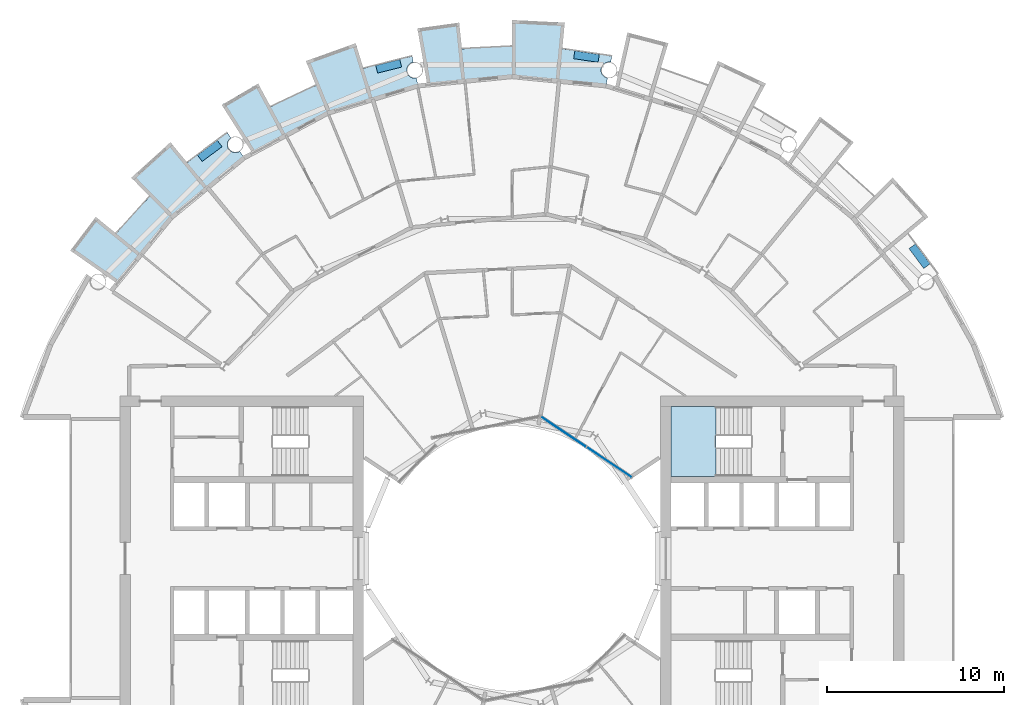
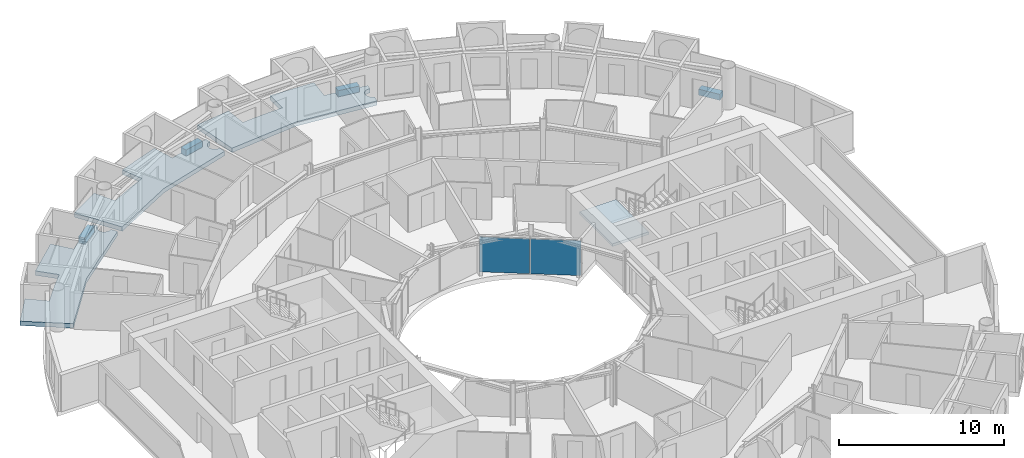
# One storey, part 12 of 27: 8 slabs, 2 plates, 2 elements without a shape of their own.
"""IFC4 building model written with IfcOpenShell, lengths in metres."""

import ifcopenshell
import ifcopenshell.guid

model = None  # the IFC model being written
_history = None  # IfcOwnerHistory: only IFC2X3 demands one
_inside = {}  # id of a spatial element -> (the spatial element, [elements in it])
_under = {}  # id of a project, library or spatial element -> (it, [spatial elements below it])
_declared = {}  # id of a project -> (the project, [libraries it declares])
_typed = {}  # id of a type object -> (the type object, [elements of that type])
_made_of = {}  # id of a material, layer set ... -> (it, [elements and type objects made of it])


def new_model(schema):
    """Start an empty IFC model of exactly this schema.

    Asked for "IFC4X3", IfcOpenShell would pick the latest addendum, in which some entities
    have other attributes; the version numbers below select the first issue.
    IFC2X3 requires an IfcOwnerHistory on every rooted entity: one is made here for all.
    """
    global model, _history
    if schema == "IFC4X3":
        model = ifcopenshell.file(schema_version=(4, 3, 0, 0))
    else:
        model = ifcopenshell.file(schema=schema)
    _inside.clear()
    _under.clear()
    _declared.clear()
    _typed.clear()
    _made_of.clear()
    _history = None
    if model.schema == "IFC2X3":
        org = make("IfcOrganization", Name="unknown")
        user = make(
            "IfcPersonAndOrganization",
            ThePerson=make("IfcPerson", FamilyName="unknown"),
            TheOrganization=org,
        )
        app = make(
            "IfcApplication",
            ApplicationDeveloper=org,
            Version="unknown",
            ApplicationFullName="unknown",
            ApplicationIdentifier="unknown",
        )
        _history = make(
            "IfcOwnerHistory",
            OwningUser=user,
            OwningApplication=app,
            ChangeAction="ADDED",
            CreationDate=0,
        )
    return model


def make(cls, **values):
    """One entity of the class cls with the attributes given. An attribute that is None is left unset."""
    return model.create_entity(
        cls, **{name: value for name, value in values.items() if value is not None}
    )


def rooted(cls, **values):
    """An entity with a GlobalId (a new one), such as an element, a storey or a relation."""
    return make(cls, GlobalId=ifcopenshell.guid.new(), OwnerHistory=_history, **values)


def si_unit(unit_type, name, prefix=None):
    """IfcSIUnit, for example si_unit("LENGTHUNIT", "METRE", prefix="MILLI")."""
    return make("IfcSIUnit", UnitType=unit_type, Prefix=prefix, Name=name)


def assignment(units):
    """IfcUnitAssignment: the units of a project."""
    return None if units is None else make("IfcUnitAssignment", Units=units)


def point(xyz):
    """IfcCartesianPoint."""
    return None if xyz is None else make("IfcCartesianPoint", Coordinates=xyz)


def direction(xyz):
    """IfcDirection."""
    return None if xyz is None else make("IfcDirection", DirectionRatios=xyz)


def frame(location, z_axis=None, x_axis=None):
    """IfcAxis2Placement3D, a coordinate frame: its origin and axes. An axis left out is left unset."""
    return make(
        "IfcAxis2Placement3D",
        Location=point(location),
        Axis=direction(z_axis),
        RefDirection=direction(x_axis),
    )


def frame_2d(location, x_axis=None):
    """IfcAxis2Placement2D, a coordinate frame in the plane: its origin and x axis."""
    return make(
        "IfcAxis2Placement2D", Location=point(location), RefDirection=direction(x_axis)
    )


def origin():
    """The frame at (0, 0, 0) with its axes left unset."""
    return frame((0.0, 0.0, 0.0))


def origin_2d():
    """The frame at (0, 0) in the plane with its x axis left unset."""
    return frame_2d((0.0, 0.0))


def place(relative_to, where):
    """IfcLocalPlacement: puts the frame where relative to a parent placement (None: the world)."""
    return make(
        "IfcLocalPlacement", PlacementRelTo=relative_to, RelativePlacement=where
    )


def context(
    kind, dimensions, precision=None, world=None, true_north=None, identifier=None
):
    """IfcGeometricRepresentationContext, for example the 3D "Model" context."""
    return make(
        "IfcGeometricRepresentationContext",
        ContextIdentifier=identifier,
        ContextType=kind,
        CoordinateSpaceDimension=dimensions,
        Precision=precision,
        WorldCoordinateSystem=world,
        TrueNorth=true_north,
    )


def subcontext(parent, identifier, kind, view, scale=None):
    """IfcGeometricRepresentationSubContext, for example "Body" below "Model"."""
    return make(
        "IfcGeometricRepresentationSubContext",
        ContextIdentifier=identifier,
        ContextType=kind,
        ParentContext=parent,
        TargetScale=scale,
        TargetView=view,
    )


def project(units=None, contexts=None):
    """IfcProject with its units and contexts."""
    return rooted(
        "IfcProject",
        Name="project",
        RepresentationContexts=contexts,
        UnitsInContext=assignment(units),
    )


def spatial(cls, under=None, at=None, **own):
    """A site, building, storey or space (cls), placed at a placement, below another one or the project."""
    s = rooted(cls, ObjectPlacement=at, **own)
    if under is not None:
        _under.setdefault(under.id(), (under, []))[1].append(s)
    return s


def polyline(points):
    """IfcPolyline through the points."""
    return make("IfcPolyline", Points=[point(p) for p in points])


def profile(cls, at=None, kind="AREA", **sizes):
    """A parametric profile (cls). Its sizes go by their IFC names, for example OverallWidth=200.0."""
    return make(cls, ProfileType=kind, Position=at, **sizes)


def rectangle(**sizes):
    """IfcRectangleProfileDef."""
    return profile("IfcRectangleProfileDef", **sizes)


def outline(outer, holes=None, kind="AREA"):
    """IfcArbitraryClosedProfileDef: a profile drawn as a closed curve; with holes, ...WithVoids."""
    if holes is None:
        return make("IfcArbitraryClosedProfileDef", ProfileType=kind, OuterCurve=outer)
    return make(
        "IfcArbitraryProfileDefWithVoids",
        ProfileType=kind,
        OuterCurve=outer,
        InnerCurves=holes,
    )


def extrude(swept, where, along, depth):
    """IfcExtrudedAreaSolid: the profile swept, set in the frame where, extruded along a direction by depth."""
    return make(
        "IfcExtrudedAreaSolid",
        SweptArea=swept,
        Position=where,
        ExtrudedDirection=direction(along),
        Depth=depth,
    )


def shape(context_of_items, identifier, shape_type, items):
    """IfcShapeRepresentation: the items that make up one representation, for example the "Body"."""
    return make(
        "IfcShapeRepresentation",
        ContextOfItems=context_of_items,
        RepresentationIdentifier=identifier,
        RepresentationType=shape_type,
        Items=items,
    )


def material(Name=None, Category=None):
    """IfcMaterial."""
    return make("IfcMaterial", Name=Name, Category=Category)


def layer(
    of_material, thickness, ventilated=None, Name=None, Category=None, Priority=None
):
    """IfcMaterialLayer: one layer of a wall or slab, of a material (None: an air gap)."""
    return make(
        "IfcMaterialLayer",
        Material=of_material,
        LayerThickness=thickness,
        IsVentilated=ventilated,
        Name=Name,
        Category=Category,
        Priority=Priority,
    )


def layer_set(layers, Name=None):
    """IfcMaterialLayerSet."""
    return make("IfcMaterialLayerSet", MaterialLayers=layers, LayerSetName=Name)


def made_of(thing, what):
    """Note that an element or type object is made of a material, layer set ...; save() writes the relation."""
    if what is not None:
        _made_of.setdefault(what.id(), (what, []))[1].append(thing)
    return thing


def type_object(cls, material=None, **own):
    """A type object (cls), such as IfcWallType, which elements share."""
    return made_of(rooted(cls, **own), material)


def element(
    cls,
    number,
    at=None,
    inside=None,
    cuts=None,
    type_object=None,
    material=None,
    context=None,
    identifier="Body",
    shape_type=None,
    held_by="IfcProductDefinitionShape",
    body=None,
    shapes=None,
    **own,
):
    """One element of the class cls, such as IfcWall. Its Tag is "e" and its number.

    at: its placement. inside: the storey or other place that contains it. cuts: it is an
    opening in that element (IfcRelVoidsElement). A single representation is given by context,
    identifier, shape_type and body (its items); several are given by shapes. held_by: the class
    of the entity that holds the representations. save() writes the other relations.
    """
    e = rooted(cls, Tag="e%d" % number, ObjectPlacement=at, **own)
    if body is not None:
        shapes = [shape(context, identifier, shape_type, body)]
    if shapes is not None:
        e.Representation = make(held_by, Representations=shapes)
    if inside is not None:
        _inside.setdefault(inside.id(), (inside, []))[1].append(e)
    if cuts is not None:
        rooted(
            "IfcRelVoidsElement", RelatingBuildingElement=cuts, RelatedOpeningElement=e
        )
    if type_object is not None:
        _typed.setdefault(type_object.id(), (type_object, []))[1].append(e)
    return made_of(e, material)


def aggregate(whole, parts):
    """IfcRelAggregates: a whole, such as a stair, and the parts it consists of."""
    return rooted("IfcRelAggregates", RelatingObject=whole, RelatedObjects=parts)


def save(model, path):
    """Write the relations noted so far, then the file.

    IfcRelAggregates (storeys below a building ...), IfcRelContainedInSpatialStructure (elements
    in a storey), IfcRelDefinesByType, IfcRelAssociatesMaterial and IfcRelDeclares: one each for
    every whole, place, type object, material and project.
    """
    for whole, parts in _under.values():
        aggregate(whole, parts)
    for where, things in _inside.values():
        rooted(
            "IfcRelContainedInSpatialStructure",
            RelatedElements=things,
            RelatingStructure=where,
        )
    for kind, things in _typed.values():
        rooted("IfcRelDefinesByType", RelatedObjects=things, RelatingType=kind)
    for what, things in _made_of.values():
        rooted("IfcRelAssociatesMaterial", RelatedObjects=things, RelatingMaterial=what)
    for by, libraries in _declared.values():
        rooted("IfcRelDeclares", RelatingContext=by, RelatedDefinitions=libraries)
    model.write(path)


model = new_model("IFC4")

# Units and contexts
model_context = context("Model", 3, precision=1e-05, world=origin(), true_north=direction((0.0, 1.0)))
body_context = subcontext(model_context, "Body", "Model", "MODEL_VIEW")
ifc_project = project(units=[si_unit("LENGTHUNIT", "METRE"), si_unit("AREAUNIT", "SQUARE_METRE"), si_unit("VOLUMEUNIT", "CUBIC_METRE"), si_unit("PLANEANGLEUNIT", "RADIAN"), si_unit("MASSUNIT", "GRAM", prefix="KILO")], contexts=[model_context])

# Site, building, storey
site_placement = place(None, origin())
site = spatial("IfcSite", under=ifc_project, at=site_placement, CompositionType="ELEMENT")
building_placement = place(site_placement, origin())
building = spatial("IfcBuilding", under=site, at=building_placement, Name="Maasbend Ring Residences", CompositionType="ELEMENT")
storey_placement = place(building_placement, frame((0.0, 0.0, 126.89990234375)))
storey = spatial("IfcBuildingStorey", under=building, at=storey_placement, Name="L36", CompositionType="ELEMENT", Elevation=126.89990234375)

# Stair, slab
ifc_material_1 = material(Name="Concrete C40/50", Category="concrete")
stair_type = type_object("IfcStairType", Name="CORE STAIR 18 RISERS", PredefinedType="HALF_TURN_STAIR", material=ifc_material_1)
stair_placement = place(storey_placement, origin())
stair = element("IfcStair", 1, at=stair_placement, inside=storey, type_object=stair_type, Name="L36 Exit stair ST-E1", PredefinedType="HALF_TURN_STAIR")
ifc_material_2 = material(Name="Concrete C40/50", Category="concrete")
ifc_layer_1 = layer(ifc_material_2, 0.199951171875)
ifc_layer_set_1 = layer_set([ifc_layer_1], Name="Concrete C40/50")
slab_type_1 = type_object("IfcSlabType", Name="CORE STAIR LANDING 200", PredefinedType="LANDING", material=ifc_layer_set_1)
slab_1_placement = place(storey_placement, frame((0.0, 0.0, 1.3251953125)))
slab_1 = element("IfcSlab", 2, at=slab_1_placement, type_object=slab_type_1, Name="ST-E1 landing 1", PredefinedType="LANDING", context=body_context, shape_type="SweptSolid", body=[
    extrude(outline(polyline([(11.550048828125, 8.60009765625), (9.0, 8.60009765625), (9.0, 4.64990234375), (11.550048828125, 4.64990234375), (11.550048828125, 8.60009765625)])), origin(), (0.0, 0.0, 1.0), 0.199951171875),
])
aggregate(stair, [slab_1])

# Curtain wall, plates
ifc_material_3 = material(Name="Aluminium and clear glass", Category="aluminium")
ifc_layer_2 = layer(ifc_material_3, 0.179931640625)
ifc_layer_set_2 = layer_set([ifc_layer_2], Name="CW-W")
curtain_wall_type = type_object("IfcCurtainWallType", Name="CW-W", PredefinedType="NOTDEFINED", material=ifc_layer_set_2)
curtain_wall_placement = place(storey_placement, origin())
curtain_wall = element("IfcCurtainWall", 3, at=curtain_wall_placement, inside=storey, type_object=curtain_wall_type, Name="Well curtain wall N1", PredefinedType="NOTDEFINED")
ifc_material_4 = material(Name="Glass clear laminated", Category="glass")
ifc_layer_3 = layer(ifc_material_4, 0.031982421875)
ifc_layer_set_3 = layer_set([ifc_layer_3], Name="CWP-W")
plate_type = type_object("IfcPlateType", Name="CWP-W", PredefinedType="CURTAIN_PANEL", material=ifc_layer_set_3)
plate_1_placement = place(storey_placement, frame((5.51123046875, 5.44580078125, 0.0), z_axis=(0.0, 0.0, 1.0), x_axis=(-0.831469612303, 0.55557023302, 0.0)))
plate_1 = element("IfcPlate", 4, at=plate_1_placement, type_object=plate_type, Name="Glass panel well face", PredefinedType="CURTAIN_PANEL", context=body_context, shape_type="SweptSolid", body=[
    extrude(rectangle(XDim=3.053955078125, YDim=0.031982421875, at=origin_2d()), origin(), (0.0, 0.0, 1.0), 2.580078125),
])
plate_2_placement = place(storey_placement, frame((2.922119140625, 7.17578125, 0.0), z_axis=(0.0, 0.0, 1.0), x_axis=(-0.831469612303, 0.55557023302, 0.0)))
plate_2 = element("IfcPlate", 5, at=plate_2_placement, type_object=plate_type, Name="Glass panel well face", PredefinedType="CURTAIN_PANEL", context=body_context, shape_type="SweptSolid", body=[
    extrude(rectangle(XDim=3.053955078125, YDim=0.031982421875, at=origin_2d()), origin(), (0.0, 0.0, 1.0), 2.580078125),
])
aggregate(curtain_wall, [plate_1, plate_2])

# Slabs
ifc_material_5 = material(Name="Planting with climbing greenery")
ifc_layer_4 = layer(ifc_material_5, 0.449951171875)
ifc_layer_set_4 = layer_set([ifc_layer_4], Name="PLANTER-LG")
slab_type_2 = type_object("IfcSlabType", Name="PLANTER-LG", PredefinedType="USERDEFINED", material=ifc_layer_set_4)
slab_2_placement = place(storey_placement, frame((0.0, 0.0, -0.02978515625)))
element("IfcSlab", 6, at=slab_2_placement, inside=storey, type_object=slab_type_2, Name="Planter with climbing greenery 1", ObjectType="PLANTER", PredefinedType="USERDEFINED", context=body_context, shape_type="SweptSolid", body=[
    extrude(outline(polyline([(23.681884765625, 16.69189453125), (22.847900390625, 17.81689453125), (22.487060546875, 17.549072265625), (23.321044921875, 16.424072265625), (23.681884765625, 16.69189453125)])), origin(), (0.0, 0.0, 1.0), 0.449951171875),
])
slab_3_placement = place(storey_placement, frame((0.0, 0.0, -0.02978515625)))
element("IfcSlab", 7, at=slab_3_placement, inside=storey, type_object=slab_type_2, Name="Planter with climbing greenery 3", ObjectType="PLANTER", PredefinedType="USERDEFINED", context=body_context, shape_type="SweptSolid", body=[
    extrude(outline(polyline([(4.94189453125, 28.549072265625), (3.55810546875, 28.75390625), (3.491943359375, 28.30908203125), (4.8759765625, 28.10400390625), (4.94189453125, 28.549072265625)])), origin(), (0.0, 0.0, 1.0), 0.449951171875),
])
slab_4_placement = place(storey_placement, frame((0.0, 0.0, -0.02978515625)))
element("IfcSlab", 8, at=slab_4_placement, inside=storey, type_object=slab_type_2, Name="Planter with climbing greenery 4", ObjectType="PLANTER", PredefinedType="USERDEFINED", context=body_context, shape_type="SweptSolid", body=[
    extrude(outline(polyline([(-6.35888671875, 28.26708984375), (-7.717041015625, 27.927001953125), (-7.60791015625, 27.489990234375), (-6.25, 27.8310546875), (-6.35888671875, 28.26708984375)])), origin(), (0.0, 0.0, 1.0), 0.449951171875),
])
slab_5_placement = place(storey_placement, frame((0.0, 0.0, -0.02978515625)))
element("IfcSlab", 9, at=slab_5_placement, inside=storey, type_object=slab_type_2, Name="Planter with climbing greenery 5", ObjectType="PLANTER", PredefinedType="USERDEFINED", context=body_context, shape_type="SweptSolid", body=[
    extrude(outline(polyline([(-16.69189453125, 23.681884765625), (-17.81689453125, 22.847900390625), (-17.549072265625, 22.487060546875), (-16.424072265625, 23.321044921875), (-16.69189453125, 23.681884765625)])), origin(), (0.0, 0.0, 1.0), 0.449951171875),
])
ifc_material_6 = material(Name="Concrete C40/50", Category="concrete")
ifc_layer_5 = layer(ifc_material_6, 0.199951171875)
ifc_layer_set_5 = layer_set([ifc_layer_5], Name="Concrete C40/50")
slab_type_3 = type_object("IfcSlabType", Name="SL-LOGGIA", PredefinedType="FLOOR", material=ifc_layer_set_5)
slab_6_placement = place(storey_placement, frame((0.0, 0.0, -0.349853515625)))
element("IfcSlab", 10, at=slab_6_placement, inside=storey, type_object=slab_type_3, Name="Loggia floor 2", PredefinedType="FLOOR", context=body_context, shape_type="SweptSolid", body=[
    extrude(outline(polyline([(-13.6708984375, 25.575927734375), (-13.6708984375, 25.575927734375), (-13.6708984375, 25.575927734375), (-13.6708984375, 25.575927734375), (-13.6708984375, 25.575927734375), (-13.6708984375, 25.575927734375), (-13.6708984375, 25.575927734375), (-13.669921875, 25.575927734375), (-13.669921875, 25.575927734375), (-13.669921875, 25.575927734375), (-13.669921875, 25.575927734375), (-13.669921875, 25.575927734375), (-13.669921875, 25.575927734375), (-13.669921875, 25.575927734375), (-13.669921875, 25.575927734375), (-13.669921875, 25.575927734375), (-13.669921875, 25.575927734375), (-12.825927734375, 26.009033203125), (-12.825927734375, 26.009033203125), (-11.968994140625, 26.4150390625), (-11.968994140625, 26.4150390625), (-11.097900390625, 26.7919921875), (-11.097900390625, 26.7919921875), (-11.097900390625, 26.7919921875), (-11.097900390625, 26.7919921875), (-11.097900390625, 26.7919921875), (-11.097900390625, 26.7919921875), (-11.097900390625, 26.7919921875), (-11.097900390625, 26.79296875), (-11.097900390625, 26.79296875), (-11.097900390625, 26.79296875), (-11.097900390625, 26.79296875), (-11.097900390625, 26.79296875), (-11.097900390625, 26.79296875), (-11.097900390625, 26.79296875), (-11.097900390625, 26.79296875), (-11.097900390625, 26.79296875), (-11.097900390625, 26.79296875), (-11.672119140625, 28.177978515625), (-11.672119140625, 28.177978515625), (-11.672119140625, 28.177978515625), (-8.85400390625, 29.18701171875), (-8.85400390625, 29.18701171875), (-8.85400390625, 29.18701171875), (-8.41796875, 27.751953125), (-8.41796875, 27.751953125), (-8.41796875, 27.751953125), (-8.41796875, 27.751953125), (-8.41796875, 27.751953125), (-8.41796875, 27.751953125), (-8.41796875, 27.751953125), (-8.41796875, 27.7509765625), (-8.41796875, 27.7509765625), (-8.41796875, 27.7509765625), (-8.41796875, 27.7509765625), (-8.41796875, 27.7509765625), (-8.41796875, 27.7509765625), (-8.41796875, 27.7509765625), (-8.41796875, 27.7509765625), (-8.41796875, 27.7509765625), (-8.41796875, 27.7509765625), (-7.506103515625, 28.011962890625), (-7.506103515625, 28.011962890625), (-6.5849609375, 28.241943359375), (-6.5849609375, 28.241943359375), (-5.657958984375, 28.443115234375), (-5.657958984375, 28.443115234375), (-5.657958984375, 28.443115234375), (-5.591064453125, 28.10595703125), (-5.60205078125, 28.10400390625), (-5.613037109375, 28.10107421875), (-5.623046875, 28.09912109375), (-5.634033203125, 28.094970703125), (-5.64501953125, 28.092041015625), (-5.655029296875, 28.087890625), (-5.666015625, 28.083984375), (-5.676025390625, 28.080078125), (-5.68701171875, 28.075927734375), (-5.697021484375, 28.071044921875), (-5.70703125, 28.06591796875), (-5.717041015625, 28.06103515625), (-5.72705078125, 28.055908203125), (-5.736083984375, 28.050048828125), (-5.74609375, 28.0439453125), (-5.7548828125, 28.0380859375), (-5.764892578125, 28.031982421875), (-5.77392578125, 28.02490234375), (-5.782958984375, 28.01806640625), (-5.791015625, 28.010986328125), (-5.800048828125, 28.00390625), (-5.80810546875, 27.9970703125), (-5.81689453125, 27.989013671875), (-5.824951171875, 27.98095703125), (-5.83203125, 27.972900390625), (-5.840087890625, 27.965087890625), (-5.847900390625, 27.95703125), (-5.85498046875, 27.947998046875), (-5.862060546875, 27.93896484375), (-5.868896484375, 27.929931640625), (-5.875, 27.9208984375), (-5.881103515625, 27.912109375), (-5.887939453125, 27.903076171875), (-5.89306640625, 27.89306640625), (-5.89892578125, 27.883056640625), (-5.905029296875, 27.8740234375), (-5.909912109375, 27.864013671875), (-5.9150390625, 27.85302734375), (-5.9189453125, 27.843017578125), (-5.924072265625, 27.8330078125), (-5.927978515625, 27.822998046875), (-5.931884765625, 27.81201171875), (-5.93505859375, 27.801025390625), (-5.93896484375, 27.791015625), (-5.94189453125, 27.780029296875), (-5.945068359375, 27.76904296875), (-5.947021484375, 27.758056640625), (-5.949951171875, 27.7470703125), (-5.951904296875, 27.736083984375), (-5.9541015625, 27.72509765625), (-5.955078125, 27.714111328125), (-5.9560546875, 27.702880859375), (-5.95703125, 27.69189453125), (-5.9580078125, 27.680908203125), (-5.9580078125, 27.6689453125), (-5.9580078125, 27.657958984375), (-5.9580078125, 27.64697265625), (-5.9580078125, 27.635986328125), (-5.95703125, 27.6240234375), (-5.9560546875, 27.613037109375), (-5.955078125, 27.60205078125), (-5.9541015625, 27.591064453125), (-5.951904296875, 27.580078125), (-5.949951171875, 27.569091796875), (-5.947021484375, 27.55810546875), (-5.945068359375, 27.547119140625), (-5.94189453125, 27.535888671875), (-5.93896484375, 27.52490234375), (-5.93505859375, 27.514892578125), (-5.931884765625, 27.50390625), (-5.927978515625, 27.493896484375), (-5.924072265625, 27.48291015625), (-5.9189453125, 27.472900390625), (-5.9150390625, 27.462890625), (-5.909912109375, 27.452880859375), (-5.905029296875, 27.443115234375), (-5.89892578125, 27.43310546875), (-5.89306640625, 27.423095703125), (-5.887939453125, 27.4140625), (-5.881103515625, 27.404052734375), (-5.875, 27.39501953125), (-5.868896484375, 27.385986328125), (-5.862060546875, 27.376953125), (-5.85498046875, 27.367919921875), (-5.847900390625, 27.360107421875), (-5.840087890625, 27.35107421875), (-5.83203125, 27.343017578125), (-5.824951171875, 27.3349609375), (-5.81689453125, 27.326904296875), (-5.80810546875, 27.319091796875), (-5.800048828125, 27.31201171875), (-5.791015625, 27.304931640625), (-5.782958984375, 27.298095703125), (-5.77392578125, 27.291015625), (-5.764892578125, 27.283935546875), (-5.7548828125, 27.278076171875), (-5.74609375, 27.27197265625), (-5.736083984375, 27.26611328125), (-5.72705078125, 27.260009765625), (-5.717041015625, 27.2548828125), (-5.70703125, 27.25), (-5.697021484375, 27.2451171875), (-5.68701171875, 27.239990234375), (-5.676025390625, 27.236083984375), (-5.666015625, 27.23193359375), (-5.655029296875, 27.22802734375), (-5.64501953125, 27.22412109375), (-5.634033203125, 27.220947265625), (-5.623046875, 27.218017578125), (-5.613037109375, 27.215087890625), (-5.60205078125, 27.2119140625), (-5.591064453125, 27.2099609375), (-5.580078125, 27.2080078125), (-5.569091796875, 27.2060546875), (-5.556884765625, 27.205078125), (-5.5458984375, 27.202880859375), (-5.534912109375, 27.201904296875), (-5.52392578125, 27.201904296875), (-5.512939453125, 27.200927734375), (-5.501953125, 27.200927734375), (-5.489990234375, 27.200927734375), (-5.47900390625, 27.201904296875), (-5.468017578125, 27.201904296875), (-5.45703125, 27.202880859375), (-5.446044921875, 27.205078125), (-5.43408203125, 27.2060546875), (-5.423095703125, 27.2080078125), (-5.412109375, 27.2099609375), (-5.325927734375, 26.77490234375), (-5.325927734375, 26.77490234375), (-5.325927734375, 26.77490234375), (-7.886962890625, 25.9990234375), (-10.447021484375, 25.221923828125), (-10.447021484375, 25.221923828125), (-10.447021484375, 25.221923828125), (-12.806884765625, 23.9609375), (-14.68994140625, 22.9541015625), (-14.68994140625, 22.9541015625), (-14.68994140625, 22.9541015625), (-16.44091796875, 25.68994140625), (-16.44091796875, 25.68994140625), (-16.44091796875, 25.68994140625), (-14.3779296875, 26.89892578125), (-14.3779296875, 26.89892578125), (-14.3779296875, 26.89892578125), (-13.6708984375, 25.575927734375)])), origin(), (0.0, 0.0, 1.0), 0.320068359375),
])
slab_7_placement = place(storey_placement, frame((0.0, 0.0, -0.349853515625)))
element("IfcSlab", 11, at=slab_7_placement, inside=storey, type_object=slab_type_3, Name="Loggia floor 3", PredefinedType="FLOOR", context=body_context, shape_type="SweptSolid", body=[
    extrude(outline(polyline([(-2.843017578125, 28.861083984375), (-2.843017578125, 28.861083984375), (-2.843017578125, 28.861083984375), (-2.843017578125, 28.861083984375), (-2.842041015625, 28.861083984375), (-2.842041015625, 28.861083984375), (-2.842041015625, 28.861083984375), (-2.842041015625, 28.861083984375), (-2.842041015625, 28.861083984375), (-2.842041015625, 28.860107421875), (-2.842041015625, 28.860107421875), (-2.842041015625, 28.860107421875), (-2.842041015625, 28.860107421875), (-2.842041015625, 28.860107421875), (-2.842041015625, 28.860107421875), (-2.842041015625, 28.860107421875), (-2.842041015625, 28.860107421875), (-1.89697265625, 28.93798828125), (-1.89697265625, 28.93798828125), (-0.948974609375, 28.98388671875), (-0.948974609375, 28.98388671875), (0.0, 29.0), (0.0, 29.0), (0.0, 29.0), (0.0, 29.0), (0.0, 29.0), (0.0, 29.0), (0.0, 29.0), (0.0, 29.0), (0.0, 29.0), (0.0, 29.0), (0.0, 29.0), (0.0, 29.0), (0.0, 29.0), (0.0, 29.0), (0.0, 29.0), (0.0, 29.0), (0.0, 29.0), (0.0, 30.5), (0.0, 30.5), (0.0, 30.5), (2.989990234375, 30.35302734375), (2.989990234375, 30.35302734375), (2.989990234375, 30.35302734375), (2.843017578125, 28.861083984375), (2.843017578125, 28.861083984375), (2.843017578125, 28.861083984375), (2.843017578125, 28.861083984375), (2.843017578125, 28.861083984375), (2.843017578125, 28.861083984375), (2.843017578125, 28.861083984375), (2.843017578125, 28.861083984375), (2.843017578125, 28.860107421875), (2.843017578125, 28.860107421875), (2.843017578125, 28.860107421875), (2.843017578125, 28.860107421875), (2.843017578125, 28.860107421875), (2.843017578125, 28.860107421875), (2.843017578125, 28.860107421875), (2.843017578125, 28.860107421875), (2.843017578125, 28.860107421875), (3.784912109375, 28.751953125), (3.784912109375, 28.751953125), (4.72412109375, 28.613037109375), (4.72412109375, 28.613037109375), (5.657958984375, 28.443115234375), (5.657958984375, 28.443115234375), (5.657958984375, 28.443115234375), (5.591064453125, 28.10595703125), (5.591064453125, 28.10595703125), (5.580078125, 28.10791015625), (5.569091796875, 28.110107421875), (5.556884765625, 28.112060546875), (5.5458984375, 28.113037109375), (5.534912109375, 28.114013671875), (5.52392578125, 28.114990234375), (5.512939453125, 28.114990234375), (5.501953125, 28.114990234375), (5.489990234375, 28.114990234375), (5.47900390625, 28.114990234375), (5.468017578125, 28.114013671875), (5.45703125, 28.113037109375), (5.446044921875, 28.112060546875), (5.43408203125, 28.110107421875), (5.423095703125, 28.10791015625), (5.412109375, 28.10595703125), (5.40087890625, 28.10400390625), (5.389892578125, 28.10107421875), (5.3798828125, 28.09912109375), (5.368896484375, 28.094970703125), (5.35791015625, 28.092041015625), (5.347900390625, 28.087890625), (5.3369140625, 28.083984375), (5.326904296875, 28.080078125), (5.31591796875, 28.075927734375), (5.305908203125, 28.071044921875), (5.2958984375, 28.06591796875), (5.285888671875, 28.06103515625), (5.27587890625, 28.055908203125), (5.26708984375, 28.050048828125), (5.257080078125, 28.0439453125), (5.248046875, 28.0380859375), (5.238037109375, 28.031982421875), (5.22900390625, 28.02490234375), (5.219970703125, 28.01806640625), (5.2119140625, 28.010986328125), (5.202880859375, 28.00390625), (5.195068359375, 27.9970703125), (5.18603515625, 27.989013671875), (5.177978515625, 27.98095703125), (5.1708984375, 27.972900390625), (5.1630859375, 27.965087890625), (5.155029296875, 27.95703125), (5.14794921875, 27.947998046875), (5.14111328125, 27.93896484375), (5.134033203125, 27.929931640625), (5.1279296875, 27.9208984375), (5.1220703125, 27.912109375), (5.114990234375, 27.903076171875), (5.110107421875, 27.89306640625), (5.10400390625, 27.883056640625), (5.097900390625, 27.8740234375), (5.093017578125, 27.864013671875), (5.087890625, 27.85302734375), (5.083984375, 27.843017578125), (5.0791015625, 27.8330078125), (5.074951171875, 27.822998046875), (5.071044921875, 27.81201171875), (5.068115234375, 27.801025390625), (5.06396484375, 27.791015625), (5.06103515625, 27.780029296875), (5.05810546875, 27.76904296875), (5.055908203125, 27.758056640625), (5.052978515625, 27.7470703125), (5.051025390625, 27.736083984375), (5.049072265625, 27.72509765625), (5.048095703125, 27.714111328125), (5.047119140625, 27.702880859375), (5.0458984375, 27.69189453125), (5.044921875, 27.680908203125), (5.044921875, 27.6689453125), (5.044921875, 27.657958984375), (5.044921875, 27.64697265625), (5.044921875, 27.635986328125), (5.0458984375, 27.6240234375), (5.047119140625, 27.613037109375), (5.048095703125, 27.60205078125), (5.049072265625, 27.591064453125), (5.051025390625, 27.580078125), (5.052978515625, 27.569091796875), (5.055908203125, 27.55810546875), (5.05810546875, 27.547119140625), (5.06103515625, 27.535888671875), (5.06396484375, 27.52490234375), (5.068115234375, 27.514892578125), (5.071044921875, 27.50390625), (5.074951171875, 27.493896484375), (5.0791015625, 27.48291015625), (5.083984375, 27.472900390625), (5.087890625, 27.462890625), (5.093017578125, 27.452880859375), (5.097900390625, 27.443115234375), (5.10400390625, 27.43310546875), (5.110107421875, 27.423095703125), (5.114990234375, 27.4140625), (5.1220703125, 27.404052734375), (5.1279296875, 27.39501953125), (5.134033203125, 27.385986328125), (5.14111328125, 27.376953125), (5.14794921875, 27.367919921875), (5.155029296875, 27.360107421875), (5.1630859375, 27.35107421875), (5.1708984375, 27.343017578125), (5.177978515625, 27.3349609375), (5.18603515625, 27.326904296875), (5.195068359375, 27.319091796875), (5.202880859375, 27.31201171875), (5.2119140625, 27.304931640625), (5.219970703125, 27.298095703125), (5.22900390625, 27.291015625), (5.238037109375, 27.283935546875), (5.248046875, 27.278076171875), (5.257080078125, 27.27197265625), (5.26708984375, 27.26611328125), (5.27587890625, 27.260009765625), (5.285888671875, 27.2548828125), (5.2958984375, 27.25), (5.305908203125, 27.2451171875), (5.31591796875, 27.239990234375), (5.326904296875, 27.236083984375), (5.3369140625, 27.23193359375), (5.347900390625, 27.22802734375), (5.35791015625, 27.22412109375), (5.368896484375, 27.220947265625), (5.3798828125, 27.218017578125), (5.389892578125, 27.215087890625), (5.40087890625, 27.2119140625), (5.412109375, 27.2099609375), (5.412109375, 27.2099609375), (5.325927734375, 26.77490234375), (5.325927734375, 26.77490234375), (5.325927734375, 26.77490234375), (2.6630859375, 27.0380859375), (0.0, 27.300048828125), (0.0, 27.300048828125), (0.0, 27.300048828125), (-2.6630859375, 27.0380859375), (-4.7880859375, 26.827880859375), (-4.7880859375, 26.827880859375), (-4.7880859375, 26.827880859375), (-5.35791015625, 30.02587890625), (-5.35791015625, 30.02587890625), (-5.35791015625, 30.02587890625), (-2.989990234375, 30.35302734375), (-2.989990234375, 30.35302734375), (-2.989990234375, 30.35302734375), (-2.843017578125, 28.861083984375)])), origin(), (0.0, 0.0, 1.0), 0.320068359375),
])
slab_8_placement = place(storey_placement, frame((0.0, 0.0, -0.349853515625)))
element("IfcSlab", 12, at=slab_8_placement, inside=storey, type_object=slab_type_3, Name="Loggia floor 5", PredefinedType="FLOOR", context=body_context, shape_type="SweptSolid", body=[
    extrude(outline(polyline([(-22.41796875, 18.39794921875), (-22.41796875, 18.39794921875), (-22.41796875, 18.39794921875), (-22.41796875, 18.39794921875), (-22.41796875, 18.39794921875), (-22.4169921875, 18.39794921875), (-22.4169921875, 18.39794921875), (-22.4169921875, 18.39794921875), (-22.4169921875, 18.39794921875), (-22.4169921875, 18.39794921875), (-22.4169921875, 18.39794921875), (-22.4169921875, 18.39794921875), (-22.4169921875, 18.39794921875), (-22.4169921875, 18.39794921875), (-22.4169921875, 18.39794921875), (-22.4169921875, 18.39794921875), (-22.4169921875, 18.39794921875), (-21.802978515625, 19.12109375), (-21.802978515625, 19.12109375), (-21.166015625, 19.823974609375), (-21.166015625, 19.823974609375), (-20.506103515625, 20.506103515625), (-20.506103515625, 20.506103515625), (-20.506103515625, 20.506103515625), (-20.506103515625, 20.506103515625), (-20.506103515625, 20.506103515625), (-20.506103515625, 20.506103515625), (-20.506103515625, 20.506103515625), (-20.506103515625, 20.506103515625), (-20.506103515625, 20.506103515625), (-20.506103515625, 20.506103515625), (-20.506103515625, 20.506103515625), (-20.506103515625, 20.506103515625), (-20.506103515625, 20.506103515625), (-20.506103515625, 20.506103515625), (-20.506103515625, 20.506103515625), (-20.506103515625, 20.506103515625), (-20.506103515625, 20.506103515625), (-21.56689453125, 21.56689453125), (-21.56689453125, 21.56689453125), (-21.56689453125, 21.56689453125), (-19.34912109375, 23.576904296875), (-19.34912109375, 23.576904296875), (-19.34912109375, 23.576904296875), (-18.39794921875, 22.41796875), (-18.39794921875, 22.41796875), (-18.39794921875, 22.41796875), (-18.39794921875, 22.41796875), (-18.39794921875, 22.41796875), (-18.39794921875, 22.41796875), (-18.39697265625, 22.41796875), (-18.39697265625, 22.41796875), (-18.39697265625, 22.41796875), (-18.39697265625, 22.41796875), (-18.39697265625, 22.41796875), (-18.39697265625, 22.41796875), (-18.39697265625, 22.41796875), (-18.39697265625, 22.41796875), (-18.39697265625, 22.41796875), (-18.39697265625, 22.41796875), (-18.39697265625, 22.41796875), (-17.654052734375, 23.007080078125), (-17.654052734375, 23.007080078125), (-16.89208984375, 23.572998046875), (-16.89208984375, 23.572998046875), (-16.112060546875, 24.113037109375), (-16.112060546875, 24.113037109375), (-16.112060546875, 24.113037109375), (-15.9208984375, 23.826904296875), (-15.9208984375, 23.826904296875), (-15.929931640625, 23.821044921875), (-15.93896484375, 23.81396484375), (-15.947998046875, 23.80810546875), (-15.95703125, 23.801025390625), (-15.966064453125, 23.79296875), (-15.97412109375, 23.785888671875), (-15.98193359375, 23.778076171875), (-15.989990234375, 23.77099609375), (-15.998046875, 23.762939453125), (-16.006103515625, 23.75390625), (-16.012939453125, 23.74609375), (-16.02001953125, 23.737060546875), (-16.027099609375, 23.72900390625), (-16.033935546875, 23.719970703125), (-16.041015625, 23.7109375), (-16.047119140625, 23.700927734375), (-16.052978515625, 23.69189453125), (-16.05908203125, 23.681884765625), (-16.06494140625, 23.673095703125), (-16.070068359375, 23.6630859375), (-16.074951171875, 23.653076171875), (-16.080078125, 23.64306640625), (-16.0849609375, 23.633056640625), (-16.089111328125, 23.6220703125), (-16.093017578125, 23.612060546875), (-16.096923828125, 23.60107421875), (-16.10107421875, 23.591064453125), (-16.10400390625, 23.580078125), (-16.10791015625, 23.569091796875), (-16.110107421875, 23.55810546875), (-16.113037109375, 23.548095703125), (-16.114990234375, 23.537109375), (-16.116943359375, 23.52587890625), (-16.118896484375, 23.513916015625), (-16.12109375, 23.5029296875), (-16.1220703125, 23.491943359375), (-16.123046875, 23.48095703125), (-16.1240234375, 23.469970703125), (-16.1240234375, 23.458984375), (-16.1240234375, 23.447021484375), (-16.1240234375, 23.43603515625), (-16.1240234375, 23.425048828125), (-16.123046875, 23.4140625), (-16.1220703125, 23.403076171875), (-16.12109375, 23.39111328125), (-16.118896484375, 23.3798828125), (-16.116943359375, 23.368896484375), (-16.114990234375, 23.35791015625), (-16.113037109375, 23.346923828125), (-16.110107421875, 23.3359375), (-16.10791015625, 23.325927734375), (-16.10400390625, 23.31494140625), (-16.10107421875, 23.303955078125), (-16.096923828125, 23.29296875), (-16.093017578125, 23.282958984375), (-16.089111328125, 23.27294921875), (-16.0849609375, 23.261962890625), (-16.080078125, 23.251953125), (-16.074951171875, 23.241943359375), (-16.070068359375, 23.23193359375), (-16.06494140625, 23.221923828125), (-16.05908203125, 23.2119140625), (-16.052978515625, 23.202880859375), (-16.047119140625, 23.194091796875), (-16.041015625, 23.18408203125), (-16.033935546875, 23.175048828125), (-16.027099609375, 23.166015625), (-16.02001953125, 23.156982421875), (-16.012939453125, 23.14892578125), (-16.006103515625, 23.139892578125), (-15.998046875, 23.132080078125), (-15.989990234375, 23.1240234375), (-15.98193359375, 23.115966796875), (-15.97412109375, 23.10888671875), (-15.966064453125, 23.10107421875), (-15.95703125, 23.093994140625), (-15.947998046875, 23.0869140625), (-15.93896484375, 23.080078125), (-15.929931640625, 23.073974609375), (-15.9208984375, 23.06689453125), (-15.912109375, 23.06103515625), (-15.902099609375, 23.054931640625), (-15.89208984375, 23.050048828125), (-15.883056640625, 23.0439453125), (-15.873046875, 23.0390625), (-15.862060546875, 23.033935546875), (-15.85205078125, 23.030029296875), (-15.842041015625, 23.02490234375), (-15.83203125, 23.02099609375), (-15.821044921875, 23.01708984375), (-15.81005859375, 23.012939453125), (-15.800048828125, 23.010009765625), (-15.7890625, 23.007080078125), (-15.778076171875, 23.00390625), (-15.76708984375, 23.001953125), (-15.756103515625, 22.9990234375), (-15.7451171875, 22.9970703125), (-15.73388671875, 22.9951171875), (-15.722900390625, 22.993896484375), (-15.7119140625, 22.992919921875), (-15.700927734375, 22.991943359375), (-15.68994140625, 22.990966796875), (-15.677978515625, 22.990966796875), (-15.6669921875, 22.989990234375), (-15.656005859375, 22.990966796875), (-15.64501953125, 22.990966796875), (-15.633056640625, 22.991943359375), (-15.6220703125, 22.992919921875), (-15.611083984375, 22.993896484375), (-15.60009765625, 22.9951171875), (-15.589111328125, 22.9970703125), (-15.577880859375, 22.9990234375), (-15.56689453125, 23.001953125), (-15.555908203125, 23.00390625), (-15.544921875, 23.007080078125), (-15.533935546875, 23.010009765625), (-15.52392578125, 23.012939453125), (-15.512939453125, 23.01708984375), (-15.5029296875, 23.02099609375), (-15.491943359375, 23.02490234375), (-15.48193359375, 23.030029296875), (-15.471923828125, 23.033935546875), (-15.4619140625, 23.0390625), (-15.451904296875, 23.0439453125), (-15.44189453125, 23.050048828125), (-15.431884765625, 23.054931640625), (-15.423095703125, 23.06103515625), (-15.4130859375, 23.06689453125), (-15.4130859375, 23.06689453125), (-15.1669921875, 22.698974609375), (-15.1669921875, 22.698974609375), (-15.1669921875, 22.698974609375), (-17.236083984375, 21.001953125), (-19.303955078125, 19.303955078125), (-19.303955078125, 19.303955078125), (-19.303955078125, 19.303955078125), (-21.001953125, 17.236083984375), (-22.35595703125, 15.5849609375), (-22.35595703125, 15.5849609375), (-22.35595703125, 15.5849609375), (-25.02001953125, 17.44189453125), (-25.02001953125, 17.44189453125), (-25.02001953125, 17.44189453125), (-23.576904296875, 19.34912109375), (-23.576904296875, 19.34912109375), (-23.576904296875, 19.34912109375), (-22.41796875, 18.39794921875)])), origin(), (0.0, 0.0, 1.0), 0.320068359375),
])

save(model, "model.ifc")
